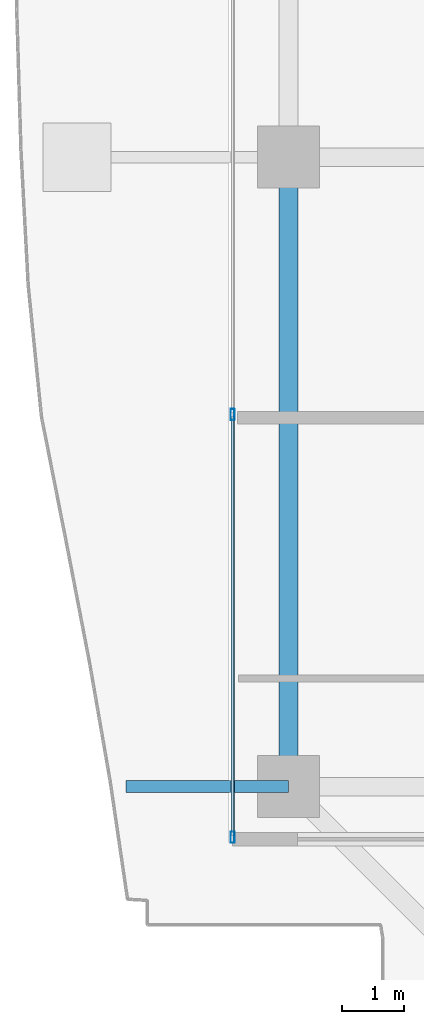
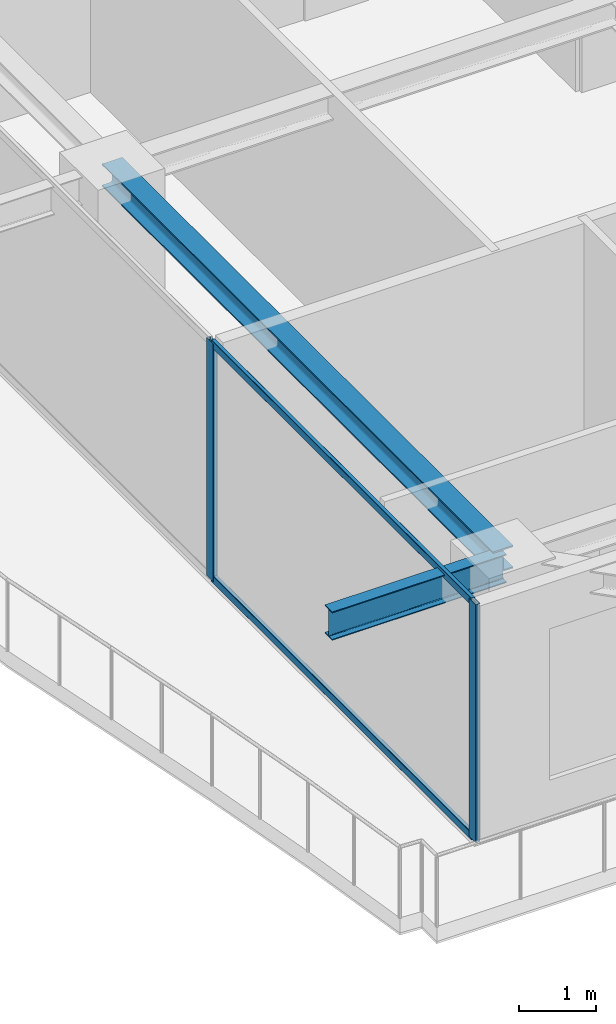
# One storey, part 3 of 37: 4 members, 2 beams, 1 element without a shape of its own.
"""IFC4 building model written with IfcOpenShell, lengths in metres."""

from ifc_helpers import new_model, si_unit, direction, frame, origin, origin_2d, place, context, subcontext, project, spatial, hollow_rectangle, i_section, extrude, source, transform, mapped, material, layer, layer_set, material_profile, profile_set, type_object, element, aggregate, save


model = new_model("IFC4")

# Units and contexts
model_context = context("Model", 3, precision=1e-05, world=origin(), true_north=direction((0.0, 1.0)))
body_context = subcontext(model_context, "Body", "Model", "MODEL_VIEW")
ifc_project = project(units=[si_unit("LENGTHUNIT", "METRE"), si_unit("AREAUNIT", "SQUARE_METRE"), si_unit("VOLUMEUNIT", "CUBIC_METRE"), si_unit("PLANEANGLEUNIT", "RADIAN"), si_unit("MASSUNIT", "GRAM", prefix="KILO")], contexts=[model_context])

# Site, building, storey
site_placement = place(None, origin())
site = spatial("IfcSite", under=ifc_project, at=site_placement, CompositionType="ELEMENT")
building_placement = place(site_placement, origin())
building = spatial("IfcBuilding", under=site, at=building_placement, Name="Serunith Strait Residences", CompositionType="ELEMENT")
storey_placement = place(building_placement, frame((0.0, 0.0, 317.75)))
storey = spatial("IfcBuildingStorey", under=building, at=storey_placement, Name="L79", CompositionType="ELEMENT", Elevation=317.75)

# Beams
ifc_material_1 = material(Name="Steel S355J2", Category="steel")
ifc_material_profile_1 = material_profile(ifc_material_1, i_section(OverallWidth=0.300048828125, OverallDepth=0.360107421875, WebThickness=0.012451171875, FlangeThickness=0.0224609375, FilletRadius=0.027099609375, at=origin_2d()), Name="HEB 360")
ifc_profile_set_1 = profile_set([ifc_material_profile_1], Name="Steel S355J2")
beam_type_1 = type_object("IfcBeamType", Name="BM-HEB360", PredefinedType="BEAM", material=ifc_profile_set_1)
shared_shape_1 = source(origin(), body_context, "Body", "SweptSolid", [
    extrude(i_section(OverallWidth=0.300048828125, OverallDepth=0.360107421875, WebThickness=0.012451171875, FlangeThickness=0.0224609375, FilletRadius=0.027099609375, at=origin_2d()), origin(), (0.0, 0.0, 1.0), 10.14990234375),
])
beam_1_placement = place(storey_placement, frame((10.10009765625, 21.0, 3.60693359375), z_axis=(0.0, -1.0, 0.0), x_axis=(1.0, 0.0, 0.0)))
element("IfcBeam", 1, at=beam_1_placement, inside=storey, type_object=beam_type_1, Name="L79 Perimeter Ring Beam 15", PredefinedType="BEAM", context=body_context, shape_type="MappedRepresentation", body=[
    mapped(shared_shape_1, transform((0.0, 0.0, 0.0), scale=1.0)),
])
ifc_material_profile_2 = material_profile(ifc_material_1, i_section(OverallWidth=0.18994140625, OverallDepth=0.449951171875, WebThickness=0.009521484375, FlangeThickness=0.0146484375, FilletRadius=0.02099609375, at=origin_2d()), Name="IPE 450")
ifc_profile_set_2 = profile_set([ifc_material_profile_2], Name="Steel S355J2")
beam_type_2 = type_object("IfcBeamType", Name="BM-IPE450", PredefinedType="JOIST", material=ifc_profile_set_2)
shared_shape_2 = source(origin(), body_context, "Body", "SweptSolid", [
    extrude(i_section(OverallWidth=0.18994140625, OverallDepth=0.449951171875, WebThickness=0.009521484375, FlangeThickness=0.0146484375, FilletRadius=0.02099609375, at=origin_2d()), origin(), (0.0, 0.0, 1.0), 2.615966796875),
])
beam_2_placement = place(storey_placement, frame((10.10009765625, 10.85009765625, 3.531982421875), z_axis=(-1.0, 0.0, 0.0), x_axis=(0.0, -1.0, 0.0)))
element("IfcBeam", 2, at=beam_2_placement, inside=storey, type_object=beam_type_2, Name="L80 Cantilevered Balcony Rib TC-W1", PredefinedType="JOIST", context=body_context, shape_type="MappedRepresentation", body=[
    mapped(shared_shape_2, transform((0.0, 0.0, 0.0), scale=1.0)),
])

# Curtain wall, members
ifc_material_2 = material(Name="Brushed Stainless-Silver Aluminium", Category="aluminium")
ifc_layer = layer(ifc_material_2, 0.199951171875, Name="Brushed Stainless-Silver Aluminium")
ifc_layer_set = layer_set([ifc_layer], Name="Brushed Stainless-Silver Aluminium")
curtain_wall_type = type_object("IfcCurtainWallType", Name="CW-SYS5", PredefinedType="NOTDEFINED", material=ifc_layer_set)
curtain_wall_placement = place(storey_placement, origin())
curtain_wall = element("IfcCurtainWall", 3, at=curtain_wall_placement, inside=storey, type_object=curtain_wall_type, Name="L79 W Unitised Fritted Curtain Wall", PredefinedType="NOTDEFINED")
ifc_material_profile_3 = material_profile(ifc_material_2, hollow_rectangle(XDim=0.06005859375, YDim=0.1201171875, WallThickness=0.00341796875, InnerFilletRadius=0.00537109375, OuterFilletRadius=0.0087890625, at=origin_2d()), Name="ALU 120x60x3.5")
ifc_profile_set_3 = profile_set([ifc_material_profile_3], Name="Brushed Stainless-Silver Aluminium")
member_type_1 = type_object("IfcMemberType", Name="CW-SYS5-TRAN", PredefinedType="USERDEFINED", material=ifc_profile_set_3)
shared_shape_3 = source(origin(), body_context, "Body", "SweptSolid", [
    extrude(hollow_rectangle(XDim=0.06005859375, YDim=0.1201171875, WallThickness=0.00341796875, InnerFilletRadius=0.00537109375, OuterFilletRadius=0.0087890625, at=origin_2d()), origin(), (0.0, 0.0, 1.0), 6.75244140625),
])
member_1_placement = place(storey_placement, frame((9.199951171875, 16.8173828125, 0.030029296875), z_axis=(0.0, -1.0, 0.0), x_axis=(1.0, 0.0, 0.0)))
member_1 = element("IfcMember", 4, at=member_1_placement, type_object=member_type_1, Name="CW-5 transom 2.1", ObjectType="TRANSOM", PredefinedType="USERDEFINED", context=body_context, shape_type="MappedRepresentation", body=[
    mapped(shared_shape_3, transform((0.0, 0.0, 0.0), scale=1.0)),
])
member_2_placement = place(storey_placement, frame((9.199951171875, 16.8173828125, 3.7451171875), z_axis=(0.0, -1.0, 0.0), x_axis=(1.0, 0.0, 0.0)))
member_2 = element("IfcMember", 5, at=member_2_placement, type_object=member_type_1, Name="CW-5 transom 2.2", ObjectType="TRANSOM", PredefinedType="USERDEFINED", context=body_context, shape_type="MappedRepresentation", body=[
    mapped(shared_shape_3, transform((0.0, 0.0, 0.0), scale=1.0)),
])
ifc_material_profile_4 = material_profile(ifc_material_2, hollow_rectangle(XDim=0.06494140625, YDim=0.179931640625, WallThickness=0.00341796875, InnerFilletRadius=0.00537109375, OuterFilletRadius=0.0087890625, at=origin_2d()), Name="ALU 180x65x3.5")
ifc_profile_set_4 = profile_set([ifc_material_profile_4], Name="Brushed Stainless-Silver Aluminium")
member_type_2 = type_object("IfcMemberType", Name="CW-SYS5-MULL", PredefinedType="MULLION", material=ifc_profile_set_4)
shared_shape_4 = source(origin(), body_context, "Body", "SweptSolid", [
    extrude(hollow_rectangle(XDim=0.06494140625, YDim=0.179931640625, WallThickness=0.00341796875, InnerFilletRadius=0.00537109375, OuterFilletRadius=0.0087890625, at=origin_2d()), origin(), (0.0, 0.0, 1.0), 3.77490234375),
])
member_3_placement = place(storey_placement, frame((9.199951171875, 16.85009765625, 0.0), z_axis=(0.0, 0.0, 1.0), x_axis=(1.0, 0.0, 0.0)))
member_3 = element("IfcMember", 6, at=member_3_placement, type_object=member_type_2, Name="CW-5 mullion 2", PredefinedType="MULLION", context=body_context, shape_type="MappedRepresentation", body=[
    mapped(shared_shape_4, transform((0.0, 0.0, 0.0), scale=1.0)),
])
member_4_placement = place(storey_placement, frame((9.199951171875, 10.032470703125, 0.0), z_axis=(0.0, 0.0, 1.0), x_axis=(1.0, 0.0, 0.0)))
member_4 = element("IfcMember", 7, at=member_4_placement, type_object=member_type_2, Name="CW-5 mullion 3", PredefinedType="MULLION", context=body_context, shape_type="MappedRepresentation", body=[
    mapped(shared_shape_4, transform((0.0, 0.0, 0.0), scale=1.0)),
])
aggregate(curtain_wall, [member_3, member_4, member_1, member_2])

save(model, "model.ifc")
